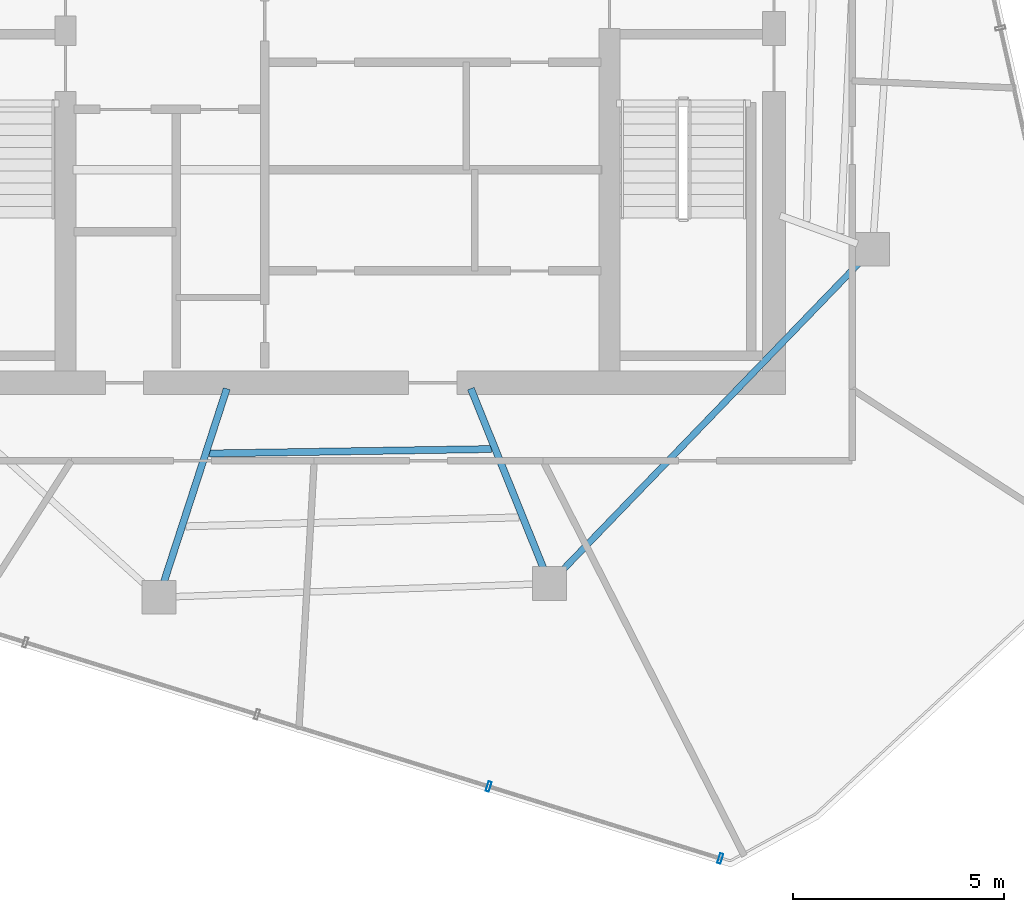
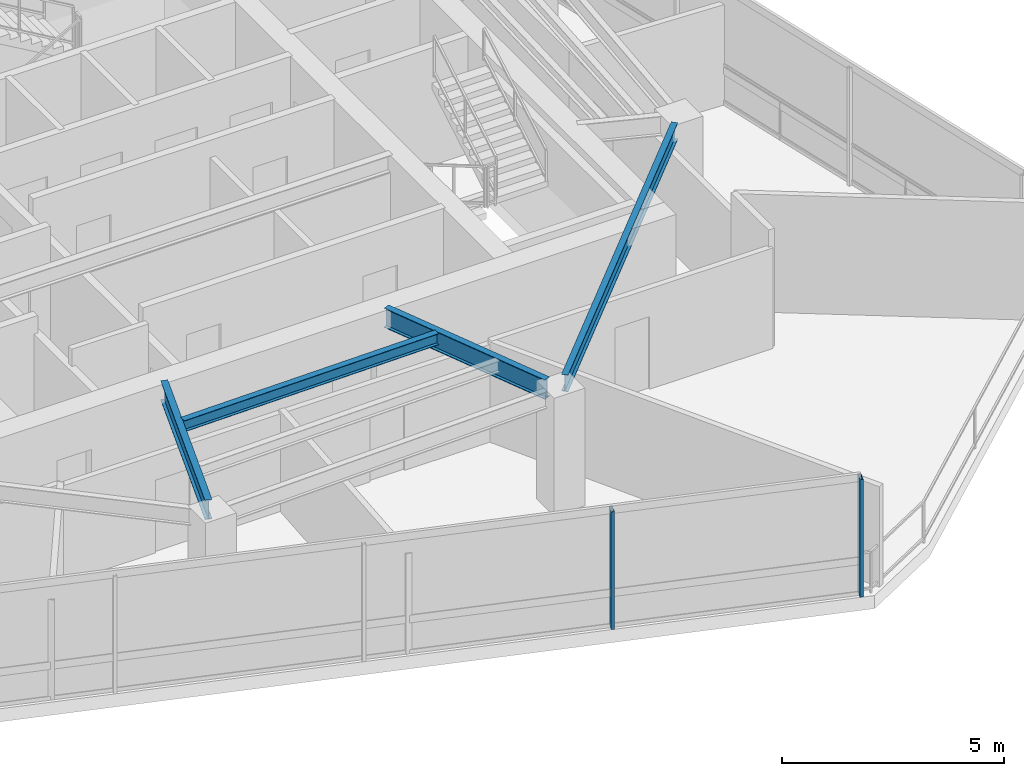
# One storey, part 4 of 19: 4 beams, 2 members, 1 element without a shape of its own.
"""IFC4 building model written with IfcOpenShell, lengths in metres."""

from ifc_helpers import new_model, si_unit, direction, frame, origin, origin_2d, place, context, subcontext, project, spatial, hollow_rectangle, i_section, extrude, material, layer, layer_set, material_profile, profile_set, type_object, element, aggregate, save


model = new_model("IFC4")

# Units and contexts
model_context = context("Model", 3, precision=1e-05, world=origin(), true_north=direction((0.0, 1.0)))
body_context = subcontext(model_context, "Body", "Model", "MODEL_VIEW")
ifc_project = project(units=[si_unit("LENGTHUNIT", "METRE"), si_unit("AREAUNIT", "SQUARE_METRE"), si_unit("VOLUMEUNIT", "CUBIC_METRE"), si_unit("PLANEANGLEUNIT", "RADIAN"), si_unit("MASSUNIT", "GRAM", prefix="KILO")], contexts=[model_context])

# Site, building, storey
site_placement = place(None, origin())
site = spatial("IfcSite", under=ifc_project, at=site_placement, CompositionType="ELEMENT")
building_placement = place(site_placement, origin())
building = spatial("IfcBuilding", under=site, at=building_placement, Name="Qarnah Convention Tower", CompositionType="ELEMENT")
storey_placement = place(building_placement, frame((0.0, 0.0, 228.300048828125)))
storey = spatial("IfcBuildingStorey", under=building, at=storey_placement, Name="L61", CompositionType="ELEMENT", Elevation=228.300048828125)

# Beams
ifc_material_1 = material(Name="Structural steel S355JR", Category="steel")
ifc_material_profile_1 = material_profile(ifc_material_1, i_section(OverallWidth=0.166015625, OverallDepth=0.31201171875, WebThickness=0.007080078125, FlangeThickness=0.010986328125, at=origin_2d()), Name="W310X45")
ifc_profile_set_1 = profile_set([ifc_material_profile_1], Name="Structural steel S355JR")
beam_type_1 = type_object("IfcBeamType", Name="BM-JST-W310", PredefinedType="JOIST", material=ifc_profile_set_1)
beam_1_placement = place(storey_placement, frame((34.2109375, 16.922119140625, 3.083984375), z_axis=(0.99987675497, 0.015699518171, 0.0), x_axis=(-0.015699518171, 0.99987675497, 0.0)))
element("IfcBeam", 1, at=beam_1_placement, inside=storey, type_object=beam_type_1, Name="L61 joist BM-L61-IJST-07", PredefinedType="JOIST", context=body_context, shape_type="SweptSolid", body=[
    extrude(i_section(OverallWidth=0.166015625, OverallDepth=0.31201171875, WebThickness=0.007080078125, FlangeThickness=0.010986328125, at=origin_2d()), origin(), (0.0, 0.0, 1.0), 6.686767578125),
])
ifc_material_profile_2 = material_profile(ifc_material_1, i_section(OverallWidth=0.166015625, OverallDepth=0.535888671875, WebThickness=0.010009765625, FlangeThickness=0.01708984375, at=origin_2d()), Name="W530X85")
ifc_profile_set_2 = profile_set([ifc_material_profile_2], Name="Structural steel S355JR")
beam_type_2 = type_object("IfcBeamType", Name="BM-RAD-W530B", PredefinedType="BEAM", material=ifc_profile_set_2)
beam_2_placement = place(storey_placement, frame((34.6201171875, 18.45703125, 2.971923828125), z_axis=(-0.309228111383, -0.950987894313, 0.0), x_axis=(0.950987894313, -0.309228111383, 0.0)))
element("IfcBeam", 2, at=beam_2_placement, inside=storey, type_object=beam_type_2, Name="L61 beam BM-L61-RAD-07", PredefinedType="BEAM", context=body_context, shape_type="SweptSolid", body=[
    extrude(i_section(OverallWidth=0.166015625, OverallDepth=0.535888671875, WebThickness=0.010009765625, FlangeThickness=0.01708984375, at=origin_2d()), origin(), (0.0, 0.0, 1.0), 4.819091796875),
])
beam_3_placement = place(storey_placement, frame((40.407958984375, 18.4609375, 2.971923828125), z_axis=(0.374622495532, -0.927177429536, 0.0), x_axis=(0.927177429536, 0.374622495532, 0.0)))
element("IfcBeam", 3, at=beam_3_placement, inside=storey, type_object=beam_type_2, Name="L61 beam BM-L61-RAD-08", PredefinedType="BEAM", context=body_context, shape_type="SweptSolid", body=[
    extrude(i_section(OverallWidth=0.166015625, OverallDepth=0.535888671875, WebThickness=0.010009765625, FlangeThickness=0.01708984375, at=origin_2d()), origin(), (0.0, 0.0, 1.0), 4.607421875),
])
ifc_material_profile_3 = material_profile(ifc_material_1, i_section(OverallWidth=0.154052734375, OverallDepth=0.4599609375, WebThickness=0.009033203125, FlangeThickness=0.014892578125, at=origin_2d()), Name="W460X68")
ifc_profile_set_3 = profile_set([ifc_material_profile_3], Name="Structural steel S355JR")
beam_type_3 = type_object("IfcBeamType", Name="BM-SPN-W460B", PredefinedType="SPANDREL", material=ifc_profile_set_3)
beam_4_placement = place(storey_placement, frame((42.547119140625, 14.117919921875, 3.010009765625), z_axis=(0.694687671008, 0.719311503974, 0.0), x_axis=(-0.719311503974, 0.694687671008, 0.0)))
element("IfcBeam", 4, at=beam_4_placement, inside=storey, type_object=beam_type_3, Name="L61 spandrel BM-L61-SPN-08", PredefinedType="SPANDREL", context=body_context, shape_type="SweptSolid", body=[
    extrude(i_section(OverallWidth=0.154052734375, OverallDepth=0.4599609375, WebThickness=0.009033203125, FlangeThickness=0.014892578125, at=origin_2d()), origin(), (0.0, 0.0, 1.0), 10.241943359375),
])

# Curtain wall, members
ifc_material_2 = material(Name="Tempered Low-E dark glass", Category="glass")
ifc_layer = layer(ifc_material_2, 0.176025390625)
ifc_layer_set = layer_set([ifc_layer], Name="Tempered Low-E dark glass")
curtain_wall_type = type_object("IfcCurtainWallType", Name="CWS-05", PredefinedType="NOTDEFINED", material=ifc_layer_set)
curtain_wall_placement = place(storey_placement, origin())
curtain_wall = element("IfcCurtainWall", 5, at=curtain_wall_placement, inside=storey, type_object=curtain_wall_type, Name="L61 unitised curtain wall CW-L61-F3", PredefinedType="NOTDEFINED")
ifc_material_3 = material(Name="Black anodised aluminium", Category="aluminium")
ifc_material_profile_4 = material_profile(ifc_material_3, hollow_rectangle(XDim=0.080078125, YDim=0.239990234375, WallThickness=0.0048828125, at=origin_2d()), Name="MUL-80X240")
ifc_profile_set_4 = profile_set([ifc_material_profile_4], Name="Black anodised aluminium")
member_type = type_object("IfcMemberType", Name="MUL-T5", PredefinedType="MULLION", material=ifc_profile_set_4)
member_1_placement = place(storey_placement, frame((46.323974609375, 7.31591796875, 0.0), z_axis=(0.0, 0.0, 1.0), x_axis=(-0.954870143679, 0.297023582752, 0.0)))
member_1 = element("IfcMember", 6, at=member_1_placement, type_object=member_type, Name="CW-L61-F3 mullion 1", PredefinedType="MULLION", context=body_context, shape_type="SweptSolid", body=[
    extrude(hollow_rectangle(XDim=0.080078125, YDim=0.239990234375, WallThickness=0.0048828125, at=origin_2d()), origin(), (0.0, 0.0, 1.0), 3.239990234375),
])
member_2_placement = place(storey_placement, frame((40.831298828125, 9.024658203125, 0.0), z_axis=(0.0, 0.0, 1.0), x_axis=(-0.954870143679, 0.297023582752, 0.0)))
member_2 = element("IfcMember", 7, at=member_2_placement, type_object=member_type, Name="CW-L61-F3 mullion 2", PredefinedType="MULLION", context=body_context, shape_type="SweptSolid", body=[
    extrude(hollow_rectangle(XDim=0.080078125, YDim=0.239990234375, WallThickness=0.0048828125, at=origin_2d()), origin(), (0.0, 0.0, 1.0), 3.239990234375),
])
aggregate(curtain_wall, [member_1, member_2])

save(model, "model.ifc")
